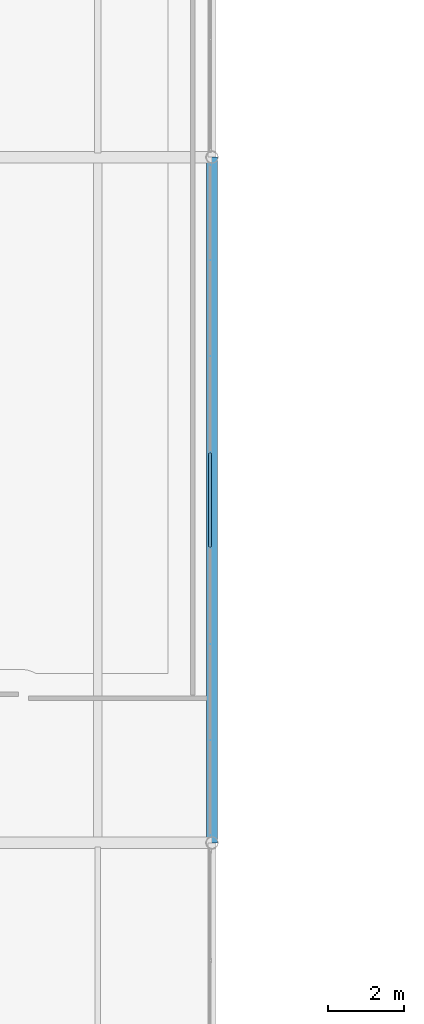
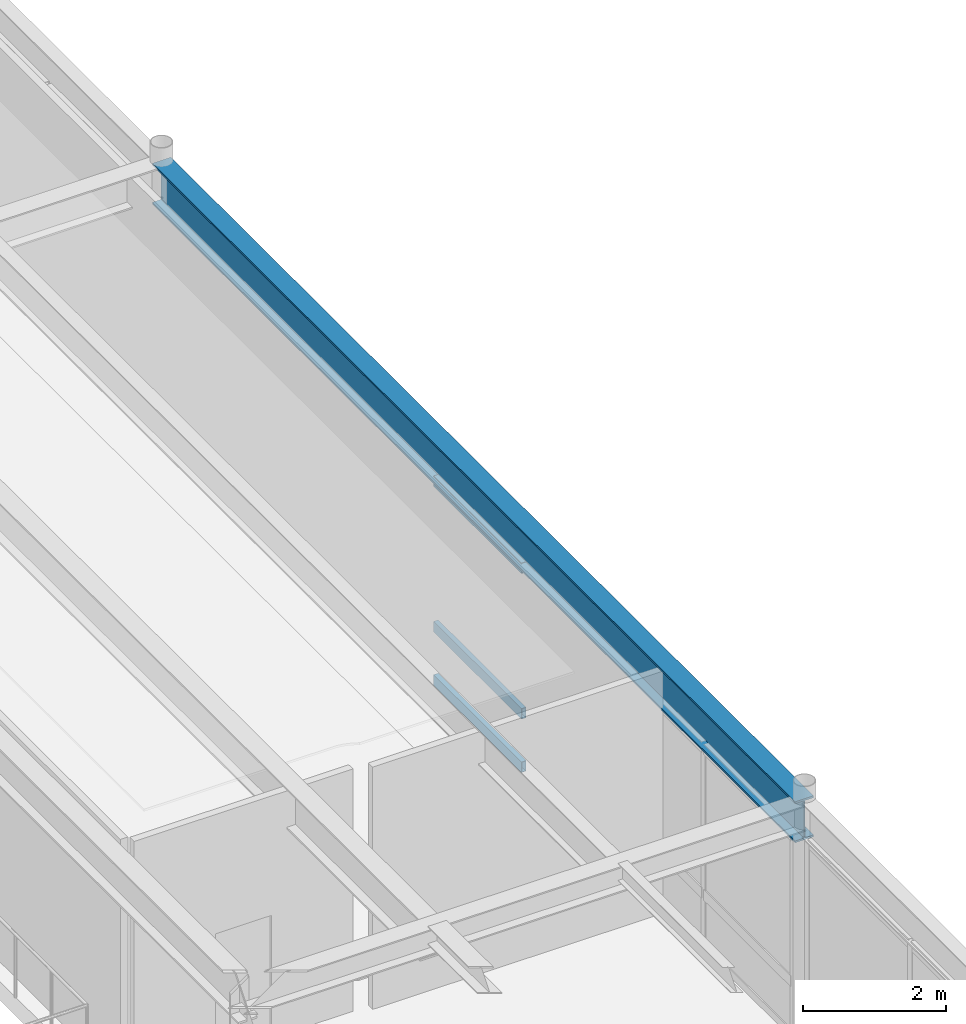
# One storey, part 70 of 127: 3 members, 1 beam, 1 element without a shape of its own.
"""IFC4 building model written with IfcOpenShell, lengths in metres."""

from ifc_helpers import new_model, si_unit, direction, frame, origin, origin_2d, place, context, subcontext, project, spatial, hollow_rectangle, i_section, extrude, material, layer, layer_set, material_profile, profile_set, type_object, element, aggregate, save


model = new_model("IFC4")

# Units and contexts
model_context = context("Model", 3, precision=1e-05, world=origin(), true_north=direction((0.0, 1.0)))
body_context = subcontext(model_context, "Body", "Model", "MODEL_VIEW")
ifc_project = project(units=[si_unit("LENGTHUNIT", "METRE"), si_unit("AREAUNIT", "SQUARE_METRE"), si_unit("VOLUMEUNIT", "CUBIC_METRE"), si_unit("PLANEANGLEUNIT", "RADIAN"), si_unit("MASSUNIT", "GRAM", prefix="KILO")], contexts=[model_context])

# Site, building, storey
site_placement = place(None, origin())
site = spatial("IfcSite", under=ifc_project, at=site_placement, CompositionType="ELEMENT")
building_placement = place(site_placement, origin())
building = spatial("IfcBuilding", under=site, at=building_placement, Name="Montelvaro Courts of Justice", CompositionType="ELEMENT")
storey_placement = place(building_placement, frame((0.0, 0.0, 5.39990234375)))
storey = spatial("IfcBuildingStorey", under=building, at=storey_placement, Name="L01", CompositionType="ELEMENT", Elevation=5.39990234375)

# Beam
ifc_material_1 = material(Name="Steel S355", Category="steel")
ifc_material_profile_1 = material_profile(ifc_material_1, i_section(OverallWidth=0.300048828125, OverallDepth=0.699951171875, WebThickness=0.01708984375, FlangeThickness=0.031982421875, at=origin_2d()), Name="HEB 700")
ifc_profile_set_1 = profile_set([ifc_material_profile_1], Name="Steel S355")
beam_type = type_object("IfcBeamType", Name="Beam_HEB700", PredefinedType="USERDEFINED", material=ifc_profile_set_1)
beam_placement = place(storey_placement, frame((81.0, 78.0, 3.830078125), z_axis=(0.0, 1.0, 0.0), x_axis=(-1.0, 0.0, 0.0)))
element("IfcBeam", 1, at=beam_placement, inside=storey, type_object=beam_type, Name="Beam B-28 L01", ObjectType="GIRDER", PredefinedType="USERDEFINED", context=body_context, shape_type="SweptSolid", body=[
    extrude(i_section(OverallWidth=0.300048828125, OverallDepth=0.699951171875, WebThickness=0.01708984375, FlangeThickness=0.031982421875, at=origin_2d()), origin(), (0.0, 0.0, 1.0), 18.0),
])

# Curtain wall, members
ifc_material_2 = material(Name="Anodised aluminium EN AW-6063", Category="aluminium")
ifc_layer = layer(ifc_material_2, 0.159912109375)
ifc_layer_set = layer_set([ifc_layer], Name="Anodised aluminium EN AW-6063")
curtain_wall_type = type_object("IfcCurtainWallType", Name="CurtainWall_15_1765x418", PredefinedType="USERDEFINED", material=ifc_layer_set)
curtain_wall_placement = place(storey_placement, origin())
curtain_wall = element("IfcCurtainWall", 2, at=curtain_wall_placement, inside=storey, type_object=curtain_wall_type, Name="Curtain Wall CW-15 (L01)", ObjectType="CURTAIN WALL", PredefinedType="USERDEFINED")
ifc_material_profile_2 = material_profile(ifc_material_2, hollow_rectangle(XDim=0.074951171875, YDim=0.179931640625, WallThickness=0.0048828125, at=origin_2d()), Name="ALU-T 75x180")
ifc_profile_set_2 = profile_set([ifc_material_profile_2], Name="Anodised aluminium EN AW-6063")
member_type = type_object("IfcMemberType", Name="CurtainWall_Transom_75x180", PredefinedType="USERDEFINED", material=ifc_profile_set_2)
member_1_placement = place(storey_placement, frame((80.949951171875, 85.76953125, 0.03759765625), z_axis=(0.0, 1.0, 0.0), x_axis=(-1.0, 0.0, 0.0)))
member_1 = element("IfcMember", 3, at=member_1_placement, type_object=member_type, Name="CW-15 transom 4.1", ObjectType="TRANSOM", PredefinedType="USERDEFINED", context=body_context, shape_type="SweptSolid", body=[
    extrude(hollow_rectangle(XDim=0.074951171875, YDim=0.179931640625, WallThickness=0.0048828125, at=origin_2d()), origin(), (0.0, 0.0, 1.0), 2.4609375),
])
member_2_placement = place(storey_placement, frame((80.949951171875, 85.76953125, 0.9501953125), z_axis=(0.0, 1.0, 0.0), x_axis=(-1.0, 0.0, 0.0)))
member_2 = element("IfcMember", 4, at=member_2_placement, type_object=member_type, Name="CW-15 transom 4.2", ObjectType="TRANSOM", PredefinedType="USERDEFINED", context=body_context, shape_type="SweptSolid", body=[
    extrude(hollow_rectangle(XDim=0.074951171875, YDim=0.179931640625, WallThickness=0.0048828125, at=origin_2d()), origin(), (0.0, 0.0, 1.0), 2.4609375),
])
member_3_placement = place(storey_placement, frame((80.949951171875, 85.76953125, 3.4375), z_axis=(0.0, 1.0, 0.0), x_axis=(-1.0, 0.0, 0.0)))
member_3 = element("IfcMember", 5, at=member_3_placement, type_object=member_type, Name="CW-15 transom 4.3", ObjectType="TRANSOM", PredefinedType="USERDEFINED", context=body_context, shape_type="SweptSolid", body=[
    extrude(hollow_rectangle(XDim=0.074951171875, YDim=0.179931640625, WallThickness=0.0048828125, at=origin_2d()), origin(), (0.0, 0.0, 1.0), 2.4609375),
])
aggregate(curtain_wall, [member_1, member_2, member_3])

save(model, "model.ifc")
